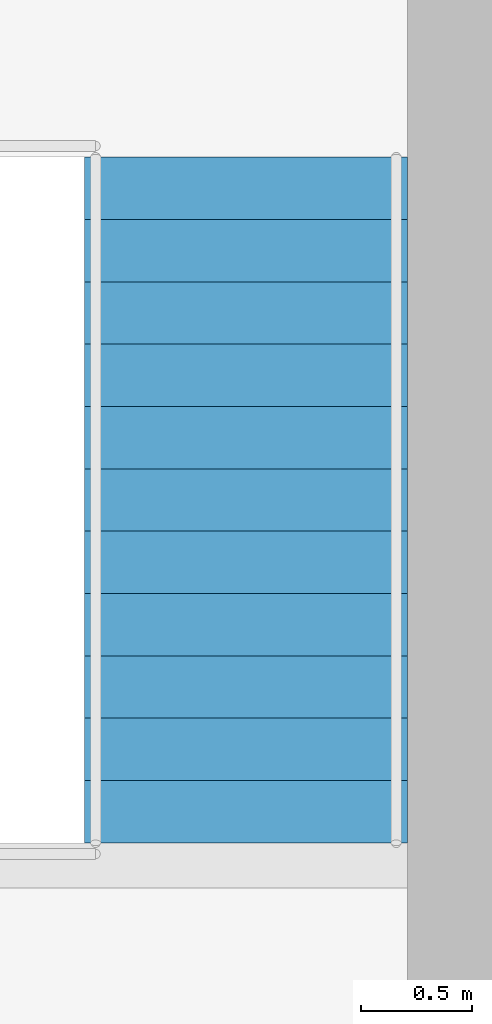
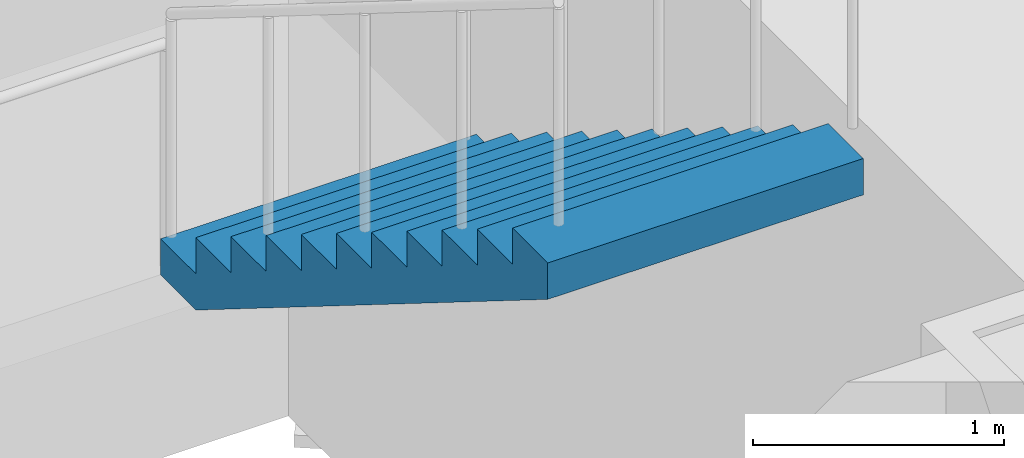
# One storey, part 11 of 17: 1 stair flight, 1 element without a shape of its own.
"""IFC4 building model written with IfcOpenShell, lengths in metres."""

import ifcopenshell
import ifcopenshell.guid

model = None  # the IFC model being written
_history = None  # IfcOwnerHistory: only IFC2X3 demands one
_inside = {}  # id of a spatial element -> (the spatial element, [elements in it])
_under = {}  # id of a project, library or spatial element -> (it, [spatial elements below it])
_declared = {}  # id of a project -> (the project, [libraries it declares])
_typed = {}  # id of a type object -> (the type object, [elements of that type])
_made_of = {}  # id of a material, layer set ... -> (it, [elements and type objects made of it])


def new_model(schema):
    """Start an empty IFC model of exactly this schema.

    Asked for "IFC4X3", IfcOpenShell would pick the latest addendum, in which some entities
    have other attributes; the version numbers below select the first issue.
    IFC2X3 requires an IfcOwnerHistory on every rooted entity: one is made here for all.
    """
    global model, _history
    if schema == "IFC4X3":
        model = ifcopenshell.file(schema_version=(4, 3, 0, 0))
    else:
        model = ifcopenshell.file(schema=schema)
    _inside.clear()
    _under.clear()
    _declared.clear()
    _typed.clear()
    _made_of.clear()
    _history = None
    if model.schema == "IFC2X3":
        org = make("IfcOrganization", Name="unknown")
        user = make(
            "IfcPersonAndOrganization",
            ThePerson=make("IfcPerson", FamilyName="unknown"),
            TheOrganization=org,
        )
        app = make(
            "IfcApplication",
            ApplicationDeveloper=org,
            Version="unknown",
            ApplicationFullName="unknown",
            ApplicationIdentifier="unknown",
        )
        _history = make(
            "IfcOwnerHistory",
            OwningUser=user,
            OwningApplication=app,
            ChangeAction="ADDED",
            CreationDate=0,
        )
    return model


def make(cls, **values):
    """One entity of the class cls with the attributes given. An attribute that is None is left unset."""
    return model.create_entity(
        cls, **{name: value for name, value in values.items() if value is not None}
    )


def rooted(cls, **values):
    """An entity with a GlobalId (a new one), such as an element, a storey or a relation."""
    return make(cls, GlobalId=ifcopenshell.guid.new(), OwnerHistory=_history, **values)


def si_unit(unit_type, name, prefix=None):
    """IfcSIUnit, for example si_unit("LENGTHUNIT", "METRE", prefix="MILLI")."""
    return make("IfcSIUnit", UnitType=unit_type, Prefix=prefix, Name=name)


def assignment(units):
    """IfcUnitAssignment: the units of a project."""
    return None if units is None else make("IfcUnitAssignment", Units=units)


def point(xyz):
    """IfcCartesianPoint."""
    return None if xyz is None else make("IfcCartesianPoint", Coordinates=xyz)


def direction(xyz):
    """IfcDirection."""
    return None if xyz is None else make("IfcDirection", DirectionRatios=xyz)


def frame(location, z_axis=None, x_axis=None):
    """IfcAxis2Placement3D, a coordinate frame: its origin and axes. An axis left out is left unset."""
    return make(
        "IfcAxis2Placement3D",
        Location=point(location),
        Axis=direction(z_axis),
        RefDirection=direction(x_axis),
    )


def origin():
    """The frame at (0, 0, 0) with its axes left unset."""
    return frame((0.0, 0.0, 0.0))


def place(relative_to, where):
    """IfcLocalPlacement: puts the frame where relative to a parent placement (None: the world)."""
    return make(
        "IfcLocalPlacement", PlacementRelTo=relative_to, RelativePlacement=where
    )


def context(
    kind, dimensions, precision=None, world=None, true_north=None, identifier=None
):
    """IfcGeometricRepresentationContext, for example the 3D "Model" context."""
    return make(
        "IfcGeometricRepresentationContext",
        ContextIdentifier=identifier,
        ContextType=kind,
        CoordinateSpaceDimension=dimensions,
        Precision=precision,
        WorldCoordinateSystem=world,
        TrueNorth=true_north,
    )


def subcontext(parent, identifier, kind, view, scale=None):
    """IfcGeometricRepresentationSubContext, for example "Body" below "Model"."""
    return make(
        "IfcGeometricRepresentationSubContext",
        ContextIdentifier=identifier,
        ContextType=kind,
        ParentContext=parent,
        TargetScale=scale,
        TargetView=view,
    )


def project(units=None, contexts=None):
    """IfcProject with its units and contexts."""
    return rooted(
        "IfcProject",
        Name="project",
        RepresentationContexts=contexts,
        UnitsInContext=assignment(units),
    )


def spatial(cls, under=None, at=None, **own):
    """A site, building, storey or space (cls), placed at a placement, below another one or the project."""
    s = rooted(cls, ObjectPlacement=at, **own)
    if under is not None:
        _under.setdefault(under.id(), (under, []))[1].append(s)
    return s


def polyline(points):
    """IfcPolyline through the points."""
    return make("IfcPolyline", Points=[point(p) for p in points])


def outline(outer, holes=None, kind="AREA"):
    """IfcArbitraryClosedProfileDef: a profile drawn as a closed curve; with holes, ...WithVoids."""
    if holes is None:
        return make("IfcArbitraryClosedProfileDef", ProfileType=kind, OuterCurve=outer)
    return make(
        "IfcArbitraryProfileDefWithVoids",
        ProfileType=kind,
        OuterCurve=outer,
        InnerCurves=holes,
    )


def extrude(swept, where, along, depth):
    """IfcExtrudedAreaSolid: the profile swept, set in the frame where, extruded along a direction by depth."""
    return make(
        "IfcExtrudedAreaSolid",
        SweptArea=swept,
        Position=where,
        ExtrudedDirection=direction(along),
        Depth=depth,
    )


def shape(context_of_items, identifier, shape_type, items):
    """IfcShapeRepresentation: the items that make up one representation, for example the "Body"."""
    return make(
        "IfcShapeRepresentation",
        ContextOfItems=context_of_items,
        RepresentationIdentifier=identifier,
        RepresentationType=shape_type,
        Items=items,
    )


def material(Name=None, Category=None):
    """IfcMaterial."""
    return make("IfcMaterial", Name=Name, Category=Category)


def made_of(thing, what):
    """Note that an element or type object is made of a material, layer set ...; save() writes the relation."""
    if what is not None:
        _made_of.setdefault(what.id(), (what, []))[1].append(thing)
    return thing


def type_object(cls, material=None, **own):
    """A type object (cls), such as IfcWallType, which elements share."""
    return made_of(rooted(cls, **own), material)


def element(
    cls,
    number,
    at=None,
    inside=None,
    cuts=None,
    type_object=None,
    material=None,
    context=None,
    identifier="Body",
    shape_type=None,
    held_by="IfcProductDefinitionShape",
    body=None,
    shapes=None,
    **own,
):
    """One element of the class cls, such as IfcWall. Its Tag is "e" and its number.

    at: its placement. inside: the storey or other place that contains it. cuts: it is an
    opening in that element (IfcRelVoidsElement). A single representation is given by context,
    identifier, shape_type and body (its items); several are given by shapes. held_by: the class
    of the entity that holds the representations. save() writes the other relations.
    """
    e = rooted(cls, Tag="e%d" % number, ObjectPlacement=at, **own)
    if body is not None:
        shapes = [shape(context, identifier, shape_type, body)]
    if shapes is not None:
        e.Representation = make(held_by, Representations=shapes)
    if inside is not None:
        _inside.setdefault(inside.id(), (inside, []))[1].append(e)
    if cuts is not None:
        rooted(
            "IfcRelVoidsElement", RelatingBuildingElement=cuts, RelatedOpeningElement=e
        )
    if type_object is not None:
        _typed.setdefault(type_object.id(), (type_object, []))[1].append(e)
    return made_of(e, material)


def aggregate(whole, parts):
    """IfcRelAggregates: a whole, such as a stair, and the parts it consists of."""
    return rooted("IfcRelAggregates", RelatingObject=whole, RelatedObjects=parts)


def save(model, path):
    """Write the relations noted so far, then the file.

    IfcRelAggregates (storeys below a building ...), IfcRelContainedInSpatialStructure (elements
    in a storey), IfcRelDefinesByType, IfcRelAssociatesMaterial and IfcRelDeclares: one each for
    every whole, place, type object, material and project.
    """
    for whole, parts in _under.values():
        aggregate(whole, parts)
    for where, things in _inside.values():
        rooted(
            "IfcRelContainedInSpatialStructure",
            RelatedElements=things,
            RelatingStructure=where,
        )
    for kind, things in _typed.values():
        rooted("IfcRelDefinesByType", RelatedObjects=things, RelatingType=kind)
    for what, things in _made_of.values():
        rooted("IfcRelAssociatesMaterial", RelatedObjects=things, RelatingMaterial=what)
    for by, libraries in _declared.values():
        rooted("IfcRelDeclares", RelatingContext=by, RelatedDefinitions=libraries)
    model.write(path)


model = new_model("IFC4")

# Units and contexts
model_context = context("Model", 3, precision=1e-05, world=origin(), true_north=direction((0.0, 1.0)))
body_context = subcontext(model_context, "Body", "Model", "MODEL_VIEW")
ifc_project = project(units=[si_unit("LENGTHUNIT", "METRE"), si_unit("AREAUNIT", "SQUARE_METRE"), si_unit("VOLUMEUNIT", "CUBIC_METRE"), si_unit("PLANEANGLEUNIT", "RADIAN"), si_unit("MASSUNIT", "GRAM", prefix="KILO")], contexts=[model_context])

# Site, building, storey
site_placement = place(None, origin())
site = spatial("IfcSite", under=ifc_project, at=site_placement, CompositionType="ELEMENT")
building_placement = place(site_placement, origin())
building = spatial("IfcBuilding", under=site, at=building_placement, Name="Daluyong Arena Tower", CompositionType="ELEMENT")
storey_placement = place(building_placement, frame((0.0, 0.0, 60.10009765625)))
storey = spatial("IfcBuildingStorey", under=building, at=storey_placement, Name="L12", CompositionType="ELEMENT", Elevation=60.10009765625)

# Stair, stair flight
ifc_material_1 = material(Name="Concrete fc' 35 MPa", Category="concrete")
stair_type = type_object("IfcStairType", Name="Core exit stair", PredefinedType="HALF_TURN_STAIR", material=ifc_material_1)
stair_placement = place(storey_placement, origin())
stair = element("IfcStair", 1, at=stair_placement, inside=storey, type_object=stair_type, Name="exit stair B L12", PredefinedType="HALF_TURN_STAIR")
ifc_material_2 = material(Name="Concrete fc' 35 MPa", Category="concrete")
stair_flight_type = type_object("IfcStairFlightType", Name="Core stair flight", PredefinedType="STRAIGHT", material=ifc_material_2)
stair_flight_placement = place(storey_placement, frame((66.675048828125, 86.905029296875, 2.099853515625), z_axis=(0.0, 0.0, 1.0), x_axis=(0.0, -1.0, 0.0)))
stair_flight = element("IfcStairFlight", 2, at=stair_flight_placement, type_object=stair_flight_type, Name="STB flight 2", NumberOfRisers=12, NumberOfTreads=11, PredefinedType="STRAIGHT", RiserHeight=0.175, TreadLength=0.28, context=body_context, shape_type="SweptSolid", body=[
    extrude(outline(polyline([(0.0, 0.0), (0.0, 0.175048828125), (0.280029296875, 0.175048828125), (0.280029296875, 0.35009765625), (0.56005859375, 0.35009765625), (0.56005859375, 0.52490234375), (0.840087890625, 0.52490234375), (0.840087890625, 0.699951171875), (1.1201171875, 0.699951171875), (1.1201171875, 0.875), (1.39990234375, 0.875), (1.39990234375, 1.050048828125), (1.679931640625, 1.050048828125), (1.679931640625, 1.22509765625), (1.9599609375, 1.22509765625), (1.9599609375, 1.39990234375), (2.239990234375, 1.39990234375), (2.239990234375, 1.574951171875), (2.52001953125, 1.574951171875), (2.52001953125, 1.75), (2.800048828125, 1.75), (2.800048828125, 1.925048828125), (3.080078125, 1.925048828125), (3.080078125, 2.10009765625), (3.080078125, 1.748291015625), (0.28271484375, 0.0), (0.0, 0.0)])), frame((0.0, 0.72509765625, 0.0), z_axis=(0.0, -1.0, 0.0), x_axis=(1.0, 0.0, 0.0)), (0.0, 0.0, 1.0), 1.449951171875),
])
aggregate(stair, [stair_flight])

save(model, "model.ifc")
